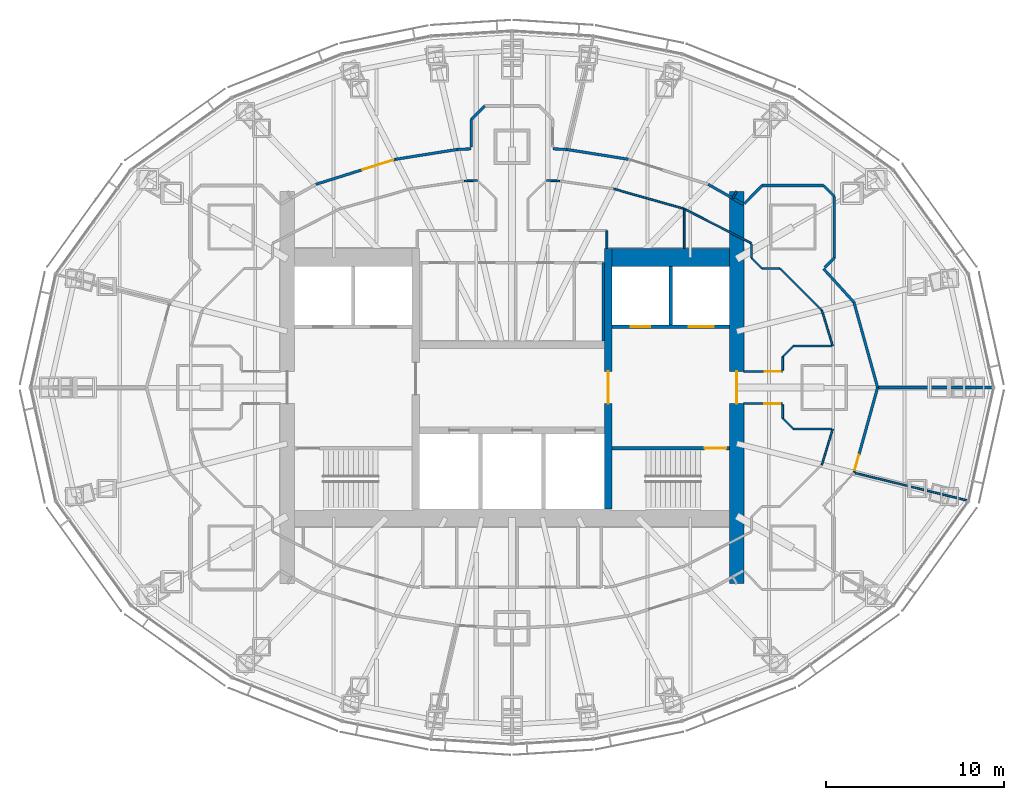
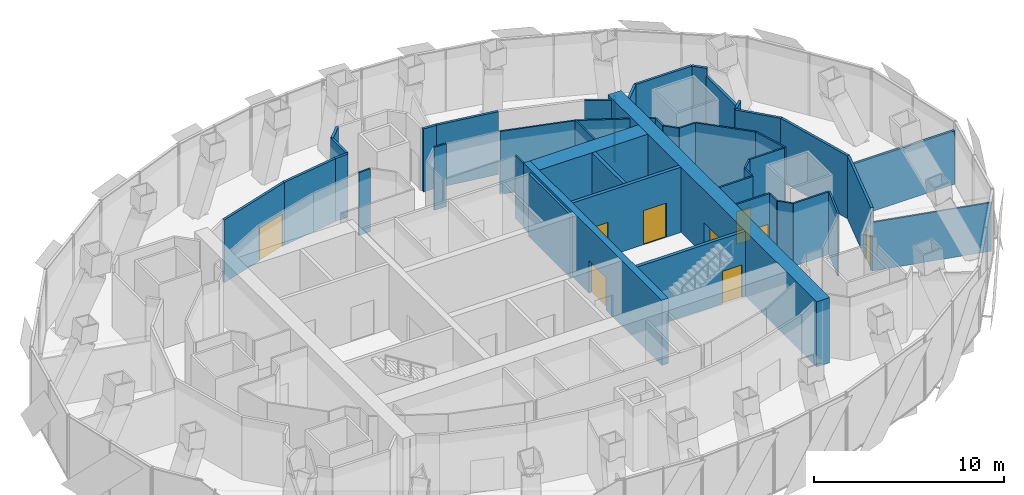
# One storey, part 14 of 18: 46 walls, 9 doors, 9 openings.
"""IFC4 building model written with IfcOpenShell, lengths in metres."""

from ifc_helpers import new_model, si_unit, direction, frame, frame_2d, origin, place, context, subcontext, project, spatial, rectangle, extrude, material, layer, layer_set, type_object, element, fill, save


model = new_model("IFC4")

# Units and contexts
model_context = context("Model", 3, precision=1e-05, world=origin(), true_north=direction((0.0, 1.0)))
body_context = subcontext(model_context, "Body", "Model", "MODEL_VIEW")
ifc_project = project(units=[si_unit("LENGTHUNIT", "METRE"), si_unit("AREAUNIT", "SQUARE_METRE"), si_unit("VOLUMEUNIT", "CUBIC_METRE"), si_unit("PLANEANGLEUNIT", "RADIAN"), si_unit("MASSUNIT", "GRAM", prefix="KILO")], contexts=[model_context])

# Site, building, storey
site_placement = place(None, origin())
site = spatial("IfcSite", under=ifc_project, at=site_placement, CompositionType="ELEMENT")
building_placement = place(site_placement, origin())
building = spatial("IfcBuilding", under=site, at=building_placement, Name="Lantaw Convention Tower", CompositionType="ELEMENT")
storey_placement = place(building_placement, frame((0.0, 0.0, 266.199951171875)))
storey = spatial("IfcBuildingStorey", under=building, at=storey_placement, Name="L62", CompositionType="ELEMENT", Elevation=266.199951171875)

# Wall
ifc_material_1 = material(Name="Concrete C60/75", Category="concrete")
ifc_layer_1 = layer(ifc_material_1, 1.0)
ifc_layer_set_1 = layer_set([ifc_layer_1], Name="Core wall 1000")
wall_type_1 = type_object("IfcWallType", Name="Core wall 1000", PredefinedType="SHEAR", material=ifc_layer_set_1)
wall_1_placement = place(storey_placement, frame((12.199951171875, 7.300048828125, 0.0), z_axis=(0.0, 0.0, 1.0), x_axis=(-1.0, 0.0, 0.0)))
element("IfcWall", 1, at=wall_1_placement, inside=storey, type_object=wall_type_1, Name="Core wall NE", PredefinedType="SHEAR", context=body_context, shape_type="SweptSolid", body=[
    extrude(rectangle(XDim=6.599853515625, YDim=1.0, at=frame_2d((3.2998046875, 0.0))), origin(), (0.0, 0.0, 1.0), 4.199951171875),
])

# Wall, opening, door
ifc_layer_2 = layer(ifc_material_1, 0.199951171875)
ifc_layer_set_2 = layer_set([ifc_layer_2], Name="Core wall 200")
wall_type_2 = type_object("IfcWallType", Name="Core wall 200", PredefinedType="SHEAR", material=ifc_layer_set_2)
wall_2_placement = place(storey_placement, frame((5.60009765625, -3.39990234375, 0.0), z_axis=(0.0, 0.0, 1.0), x_axis=(1.0, 0.0, 0.0)))
wall_2 = element("IfcWall", 2, at=wall_2_placement, inside=storey, type_object=wall_type_2, Name="Core wall ES", PredefinedType="SHEAR", context=body_context, shape_type="SweptSolid", body=[
    extrude(rectangle(XDim=6.599853515625, YDim=0.199951171875, at=frame_2d((3.2998046875, 0.0))), origin(), (0.0, 0.0, 1.0), 4.199951171875),
])
opening_1_placement = place(wall_2_placement, frame((5.199951171875, 0.0, 0.0)))
opening_1 = element("IfcOpeningElement", 3, at=opening_1_placement, cuts=wall_2, Name="Opening L62.03", PredefinedType="OPENING", context=body_context, shape_type="SweptSolid", body=[
    extrude(rectangle(XDim=1.199951171875, YDim=2.10009765625, at=frame_2d((0.60009765625, 1.050048828125))), frame((0.0, 0.10986328125, 0.0), z_axis=(0.0, -1.0, 0.0), x_axis=(1.0, 0.0, 0.0)), (0.0, 0.0, 1.0), 0.219970703125),
])
ifc_material_2 = material(Name="Steel, fire rated", Category="steel")
door_type_1 = type_object("IfcDoorType", Name="Stair door FD90", OperationType="SINGLE_SWING_RIGHT", PredefinedType="DOOR", material=ifc_material_2)
door_1_placement = place(opening_1_placement, origin())
door_1 = element("IfcDoor", 4, at=door_1_placement, inside=storey, type_object=door_type_1, Name="Exit stair door", OperationType="SINGLE_SWING_RIGHT", OverallHeight=2.10009765625, OverallWidth=1.199951171875, PredefinedType="DOOR", context=body_context, shape_type="SweptSolid", body=[
    extrude(rectangle(XDim=1.199951171875, YDim=2.10009765625, at=frame_2d((0.60009765625, 1.050048828125))), frame((0.0, 0.02490234375, 0.0), z_axis=(0.0, -1.0, 0.0), x_axis=(1.0, 0.0, 0.0)), (0.0, 0.0, 1.0), 0.050048828125),
])
fill(opening_1, door_1)

ifc_layer_3 = layer(ifc_material_1, 0.39990234375)
ifc_layer_set_3 = layer_set([ifc_layer_3], Name="Core wall 400")
wall_type_3 = type_object("IfcWallType", Name="Core wall 400", PredefinedType="SHEAR", material=ifc_layer_set_3)
wall_3_placement = place(storey_placement, frame((5.39990234375, -6.800048828125, 0.0), z_axis=(0.0, 0.0, 1.0), x_axis=(0.0, 1.0, 0.0)))
wall_3 = element("IfcWall", 5, at=wall_3_placement, inside=storey, type_object=wall_type_3, Name="Core wall XE", PredefinedType="SHEAR", context=body_context, shape_type="SweptSolid", body=[
    extrude(rectangle(XDim=14.60009765625, YDim=0.39990234375, at=frame_2d((7.300048828125, 0.0))), origin(), (0.0, 0.0, 1.0), 4.199951171875),
])
opening_2_placement = place(wall_3_placement, frame((5.89990234375, 0.0, 0.0)))
opening_2 = element("IfcOpeningElement", 6, at=opening_2_placement, cuts=wall_3, Name="Opening L62.01", PredefinedType="OPENING", context=body_context, shape_type="SweptSolid", body=[
    extrude(rectangle(XDim=1.800048828125, YDim=2.10009765625, at=frame_2d((0.89990234375, 1.050048828125))), frame((0.0, 0.2099609375, 0.0), z_axis=(0.0, -1.0, 0.0), x_axis=(1.0, 0.0, 0.0)), (0.0, 0.0, 1.0), 0.419921875),
])
door_type_2 = type_object("IfcDoorType", Name="Lobby double door FD90", OperationType="DOUBLE_DOOR_DOUBLE_SWING", PredefinedType="DOOR", material=ifc_material_2)
door_2_placement = place(opening_2_placement, origin())
door_2 = element("IfcDoor", 7, at=door_2_placement, inside=storey, type_object=door_type_2, Name="Lift lobby door", OperationType="DOUBLE_DOOR_DOUBLE_SWING", OverallHeight=2.10009765625, OverallWidth=1.800048828125, PredefinedType="DOOR", context=body_context, shape_type="SweptSolid", body=[
    extrude(rectangle(XDim=1.800048828125, YDim=2.10009765625, at=frame_2d((0.89990234375, 1.050048828125))), frame((0.0, 0.02490234375, 0.0), z_axis=(0.0, -1.0, 0.0), x_axis=(1.0, 0.0, 0.0)), (0.0, 0.0, 1.0), 0.050048828125),
])
fill(opening_2, door_2)

ifc_layer_4 = layer(ifc_material_1, 0.800048828125)
ifc_layer_set_4 = layer_set([ifc_layer_4], Name="Core wall 800")
wall_type_4 = type_object("IfcWallType", Name="Core wall 800", PredefinedType="SHEAR", material=ifc_layer_set_4)
wall_4_placement = place(storey_placement, frame((12.60009765625, -11.0, 0.0), z_axis=(0.0, 0.0, 1.0), x_axis=(0.0, 1.0, 0.0)))
wall_4 = element("IfcWall", 8, at=wall_4_placement, inside=storey, type_object=wall_type_4, Name="Core wall E", PredefinedType="SHEAR", context=body_context, shape_type="SweptSolid", body=[
    extrude(rectangle(XDim=22.0, YDim=0.800048828125, at=frame_2d((11.0, 0.0))), origin(), (0.0, 0.0, 1.0), 4.199951171875),
])
opening_3_placement = place(wall_4_placement, frame((10.10009765625, 0.0, 0.0)))
opening_3 = element("IfcOpeningElement", 9, at=opening_3_placement, cuts=wall_4, Name="Opening L62.05", PredefinedType="OPENING", context=body_context, shape_type="SweptSolid", body=[
    extrude(rectangle(XDim=1.800048828125, YDim=2.10009765625, at=frame_2d((0.89990234375, 1.050048828125))), frame((0.0, 0.409912109375, 0.0), z_axis=(0.0, -1.0, 0.0), x_axis=(1.0, 0.0, 0.0)), (0.0, 0.0, 1.0), 0.820068359375),
])
door_3_placement = place(opening_3_placement, origin())
door_3 = element("IfcDoor", 10, at=door_3_placement, inside=storey, type_object=door_type_2, Name="Firefighting lobby door", OperationType="DOUBLE_DOOR_DOUBLE_SWING", OverallHeight=2.10009765625, OverallWidth=1.800048828125, PredefinedType="DOOR", context=body_context, shape_type="SweptSolid", body=[
    extrude(rectangle(XDim=1.800048828125, YDim=2.10009765625, at=frame_2d((0.89990234375, 1.050048828125))), frame((0.0, 0.02490234375, 0.0), z_axis=(0.0, -1.0, 0.0), x_axis=(1.0, 0.0, 0.0)), (0.0, 0.0, 1.0), 0.050048828125),
])
fill(opening_3, door_3)

# Walls
ifc_material_3 = material(Name="Gypsum board on steel studs, fire rated", Category="steel")
ifc_layer_5 = layer(ifc_material_3, 0.14990234375)
ifc_layer_set_5 = layer_set([ifc_layer_5], Name="Corridor wall 150 EI 60")
wall_type_5 = type_object("IfcWallType", Name="Corridor wall 150 EI 60", PredefinedType="PARTITIONING", material=ifc_layer_set_5)
wall_5_placement = place(storey_placement, frame((20.5, 0.0, 0.0), z_axis=(0.0, 0.0, 1.0), x_axis=(-0.26770731566, 0.963500281859, 0.0)))
element("IfcWall", 11, at=wall_5_placement, inside=storey, type_object=wall_type_5, Name="Corridor wall 150", PredefinedType="PARTITIONING", context=body_context, shape_type="SweptSolid", body=[
    extrude(rectangle(XDim=4.961181640625, YDim=0.14990234375, at=frame_2d((2.48046875, 0.0))), origin(), (0.0, 0.0, 1.0), 4.050048828125),
])
for number, where, z_axis, x_axis, name in (
    (12, (6.521240234375, 12.798828125, 0.0), (0.0, 0.0, 1.0), (-0.987554093087, 0.157279729233, 0.0), "Corridor wall 150"),
    (13, (-3.081298828125, 13.3466796875, 0.0), (0.0, 0.0, 1.0), (-0.987554093087, -0.157279729233, 0.0), "Corridor wall 150"),
):
    element("IfcWall", number, at=place(storey_placement, frame(where, z_axis=z_axis, x_axis=x_axis)), inside=storey, type_object=wall_type_5, Name=name, PredefinedType="PARTITIONING", context=body_context, shape_type="SweptSolid", body=[
        extrude(rectangle(XDim=3.4833984375, YDim=0.14990234375, at=frame_2d((1.74169921875, 0.0))), origin(), (0.0, 0.0, 1.0), 4.050048828125),
    ])

# Wall, opening, door
wall_6_placement = place(storey_placement, frame((-6.521240234375, 12.798828125, 0.0), z_axis=(0.0, 0.0, 1.0), x_axis=(-0.954031103669, -0.299707612903, 0.0)))
wall_6 = element("IfcWall", 14, at=wall_6_placement, inside=storey, type_object=wall_type_5, Name="Corridor wall 150", PredefinedType="PARTITIONING", context=body_context, shape_type="SweptSolid", body=[
    extrude(rectangle(XDim=4.6953125, YDim=0.14990234375, at=frame_2d((2.34765625, 0.0))), origin(), (0.0, 0.0, 1.0), 4.050048828125),
])
opening_4_placement = place(wall_6_placement, frame((0.14990234375, 0.0, 0.0)))
opening_4 = element("IfcOpeningElement", 15, at=opening_4_placement, cuts=wall_6, Name="Opening L62.30", PredefinedType="OPENING", context=body_context, shape_type="SweptSolid", body=[
    extrude(rectangle(XDim=1.800048828125, YDim=2.10009765625, at=frame_2d((0.89990234375, 1.050048828125))), frame((0.0, 0.0849609375, 0.0), z_axis=(0.0, -1.0, 0.0), x_axis=(1.0, 0.0, 0.0)), (0.0, 0.0, 1.0), 0.169921875),
])
door_type_3 = type_object("IfcDoorType", Name="Office double door 1800 FD30", OperationType="DOUBLE_DOOR_DOUBLE_SWING", PredefinedType="DOOR", material=ifc_material_2)
door_4_placement = place(opening_4_placement, origin())
door_4 = element("IfcDoor", 16, at=door_4_placement, inside=storey, type_object=door_type_3, Name="Tenant suite door", OperationType="DOUBLE_DOOR_DOUBLE_SWING", OverallHeight=2.10009765625, OverallWidth=1.800048828125, PredefinedType="DOOR", context=body_context, shape_type="SweptSolid", body=[
    extrude(rectangle(XDim=1.800048828125, YDim=2.10009765625, at=frame_2d((0.89990234375, 1.050048828125))), frame((0.0, 0.02490234375, 0.0), z_axis=(0.0, -1.0, 0.0), x_axis=(1.0, 0.0, 0.0)), (0.0, 0.0, 1.0), 0.050048828125),
])
fill(opening_4, door_4)

wall_7_placement = place(storey_placement, frame((19.171875, -4.780029296875, 0.0), z_axis=(0.0, 0.0, 1.0), x_axis=(0.26770731566, 0.963500281859, 0.0)))
wall_7 = element("IfcWall", 17, at=wall_7_placement, inside=storey, type_object=wall_type_5, Name="Corridor wall 150", PredefinedType="PARTITIONING", context=body_context, shape_type="SweptSolid", body=[
    extrude(rectangle(XDim=4.961181640625, YDim=0.14990234375, at=frame_2d((2.48046875, 0.0))), origin(), (0.0, 0.0, 1.0), 4.050048828125),
])
opening_5_placement = place(wall_7_placement, frame((0.14990234375, 0.0, 0.0)))
opening_5 = element("IfcOpeningElement", 18, at=opening_5_placement, cuts=wall_7, Name="Opening L62.36", PredefinedType="OPENING", context=body_context, shape_type="SweptSolid", body=[
    extrude(rectangle(XDim=0.89990234375, YDim=2.10009765625, at=frame_2d((0.449951171875, 1.050048828125))), frame((0.0, 0.0849609375, 0.0), z_axis=(0.0, -1.0, 0.0), x_axis=(1.0, 0.0, 0.0)), (0.0, 0.0, 1.0), 0.169921875),
])
door_type_4 = type_object("IfcDoorType", Name="Office door 900 FD30", OperationType="SINGLE_SWING_LEFT", PredefinedType="DOOR", material=ifc_material_2)
door_5_placement = place(opening_5_placement, origin())
door_5 = element("IfcDoor", 19, at=door_5_placement, inside=storey, type_object=door_type_4, Name="Pantry door", OperationType="SINGLE_SWING_LEFT", OverallHeight=2.10009765625, OverallWidth=0.89990234375, PredefinedType="DOOR", context=body_context, shape_type="SweptSolid", body=[
    extrude(rectangle(XDim=0.89990234375, YDim=2.10009765625, at=frame_2d((0.449951171875, 1.050048828125))), frame((0.0, 0.02490234375, 0.0), z_axis=(0.0, -1.0, 0.0), x_axis=(1.0, 0.0, 0.0)), (0.0, 0.0, 1.0), 0.050048828125),
])
fill(opening_5, door_5)

# Walls
for number, where, z_axis, x_axis, name in (
    (20, (3.081298828125, 13.3466796875, 0.0), (0.0, 0.0, 1.0), (-0.998768524691, 0.049612841959, 0.0), "Corridor wall 150"),
    (21, (-2.294921875, 13.3857421875, 0.0), (0.0, 0.0, 1.0), (-0.998768524691, -0.049612841959, 0.0), "Corridor wall 150"),
):
    element("IfcWall", number, at=place(storey_placement, frame(where, z_axis=z_axis, x_axis=x_axis)), inside=storey, type_object=wall_type_5, Name=name, PredefinedType="PARTITIONING", context=body_context, shape_type="SweptSolid", body=[
        extrude(rectangle(XDim=0.787353515625, YDim=0.14990234375, at=frame_2d((0.3935546875, 0.0))), origin(), (0.0, 0.0, 1.0), 4.050048828125),
    ])
wall_8_placement = place(storey_placement, frame((-2.284912109375, 13.4873046875, 0.0), z_axis=(0.0, 0.0, 1.0), x_axis=(0.0, 1.0, 0.0)))
element("IfcWall", 22, at=wall_8_placement, inside=storey, type_object=wall_type_5, Name="Corridor wall 150", PredefinedType="PARTITIONING", context=body_context, shape_type="SweptSolid", body=[
    extrude(rectangle(XDim=1.544921875, YDim=0.14990234375, at=frame_2d((0.7724609375, 0.0))), origin(), (0.0, 0.0, 1.0), 4.050048828125),
])
wall_9_placement = place(storey_placement, frame((-2.284912109375, 15.0322265625, 0.0), z_axis=(0.0, 0.0, 1.0), x_axis=(0.707106781187, 0.707106781187, 0.0)))
element("IfcWall", 23, at=wall_9_placement, inside=storey, type_object=wall_type_5, Name="Corridor wall 150", PredefinedType="PARTITIONING", context=body_context, shape_type="SweptSolid", body=[
    extrude(rectangle(XDim=1.064453125, YDim=0.14990234375, at=frame_2d((0.5322265625, 0.0))), origin(), (0.0, 0.0, 1.0), 4.050048828125),
])
wall_10_placement = place(storey_placement, frame((19.171875, 4.780029296875, 0.0), z_axis=(0.0, 0.0, 1.0), x_axis=(-0.671721890643, 0.74080341632, 0.0)))
element("IfcWall", 24, at=wall_10_placement, inside=storey, type_object=wall_type_5, Name="Corridor wall 150", PredefinedType="PARTITIONING", context=body_context, shape_type="SweptSolid", body=[
    extrude(rectangle(XDim=2.54443359375, YDim=0.14990234375, at=frame_2d((1.272216796875, 0.0))), origin(), (0.0, 0.0, 1.0), 4.050048828125),
])
wall_11_placement = place(storey_placement, frame((12.974609375, 10.271484375, 0.0), z_axis=(0.0, 0.0, 1.0), x_axis=(-0.869722107117, 0.493541747366, 0.0)))
element("IfcWall", 25, at=wall_11_placement, inside=storey, type_object=wall_type_5, Name="Corridor wall 150", PredefinedType="PARTITIONING", context=body_context, shape_type="SweptSolid", body=[
    extrude(rectangle(XDim=2.26953125, YDim=0.14990234375, at=frame_2d((1.134765625, 0.0))), origin(), (0.0, 0.0, 1.0), 4.050048828125),
])
wall_12_placement = place(storey_placement, frame((13.035888671875, 10.318603515625, 0.0), z_axis=(0.0, 0.0, 1.0), x_axis=(0.701113567316, 0.713049623606, 0.0)))
element("IfcWall", 26, at=wall_12_placement, inside=storey, type_object=wall_type_5, Name="Corridor wall 150", PredefinedType="PARTITIONING", context=body_context, shape_type="SweptSolid", body=[
    extrude(rectangle(XDim=1.411376953125, YDim=0.14990234375, at=frame_2d((0.70556640625, 0.0))), origin(), (0.0, 0.0, 1.0), 4.050048828125),
])
wall_13_placement = place(storey_placement, frame((14.025390625, 11.324951171875, 0.0), z_axis=(0.0, 0.0, 1.0), x_axis=(1.0, 0.0, 0.0)))
element("IfcWall", 27, at=wall_13_placement, inside=storey, type_object=wall_type_5, Name="Corridor wall 150", PredefinedType="PARTITIONING", context=body_context, shape_type="SweptSolid", body=[
    extrude(rectangle(XDim=3.44921875, YDim=0.14990234375, at=frame_2d((1.724609375, 0.0))), origin(), (0.0, 0.0, 1.0), 4.050048828125),
])
wall_14_placement = place(storey_placement, frame((17.474609375, 11.324951171875, 0.0), z_axis=(0.0, 0.0, 1.0), x_axis=(0.707106781187, -0.707106781187, 0.0)))
element("IfcWall", 28, at=wall_14_placement, inside=storey, type_object=wall_type_5, Name="Corridor wall 150", PredefinedType="PARTITIONING", context=body_context, shape_type="SweptSolid", body=[
    extrude(rectangle(XDim=0.84912109375, YDim=0.14990234375, at=frame_2d((0.424560546875, 0.0))), origin(), (0.0, 0.0, 1.0), 4.050048828125),
])
wall_15_placement = place(storey_placement, frame((18.074951171875, 10.724609375, 0.0), z_axis=(0.0, 0.0, 1.0), x_axis=(0.0, -1.0, 0.0)))
element("IfcWall", 29, at=wall_15_placement, inside=storey, type_object=wall_type_5, Name="Corridor wall 150", PredefinedType="PARTITIONING", context=body_context, shape_type="SweptSolid", body=[
    extrude(rectangle(XDim=3.44921875, YDim=0.14990234375, at=frame_2d((1.724609375, 0.0))), origin(), (0.0, 0.0, 1.0), 3.521728515625),
])
wall_16_placement = place(storey_placement, frame((18.074951171875, 7.275390625, 0.0), z_axis=(0.0, 0.0, 1.0), x_axis=(-0.707106781187, -0.707106781187, 0.0)))
element("IfcWall", 30, at=wall_16_placement, inside=storey, type_object=wall_type_5, Name="Corridor wall 150", PredefinedType="PARTITIONING", context=body_context, shape_type="SweptSolid", body=[
    extrude(rectangle(XDim=0.759521484375, YDim=0.14990234375, at=frame_2d((0.3798828125, 0.0))), origin(), (0.0, 0.0, 1.0), 4.050048828125),
])
ifc_material_4 = material(Name="Gypsum board on steel studs, acoustic", Category="steel")
ifc_layer_6 = layer(ifc_material_4, 0.10009765625)
ifc_layer_set_6 = layer_set([ifc_layer_6], Name="Office partition 100")
wall_type_6 = type_object("IfcWallType", Name="Office partition 100", PredefinedType="PARTITIONING", material=ifc_layer_set_6)
wall_17_placement = place(storey_placement, frame((25.54296875, -6.33544921875, 0.0), z_axis=(0.0, 0.0, 1.0), x_axis=(-0.971467850621, 0.237171278215, 0.0)))
element("IfcWall", 31, at=wall_17_placement, inside=storey, type_object=wall_type_6, Name="Office partition 100", PredefinedType="PARTITIONING", context=body_context, shape_type="SweptSolid", body=[
    extrude(rectangle(XDim=6.55810546875, YDim=0.10009765625, at=frame_2d((3.279052734375, 0.0))), origin(), (0.0, 0.0, 1.0), 3.1279296875),
])
wall_18_placement = place(storey_placement, frame((5.320068359375, 7.800048828125, 0.0), z_axis=(0.0, 0.0, 1.0), x_axis=(0.0, 1.0, 0.0)))
element("IfcWall", 32, at=wall_18_placement, inside=storey, type_object=wall_type_6, Name="Office partition 100", PredefinedType="PARTITIONING", context=body_context, shape_type="SweptSolid", body=[
    extrude(rectangle(XDim=1.0, YDim=0.10009765625, at=frame_2d((0.5, 0.0))), origin(), (0.0, 0.0, 1.0), 4.050048828125),
])
wall_19_placement = place(storey_placement, frame((5.679931640625, 11.147216796875, 0.0), z_axis=(0.0, 0.0, 1.0), x_axis=(0.961970251804, -0.27315423234, 0.0)))
element("IfcWall", 33, at=wall_19_placement, inside=storey, type_object=wall_type_6, Name="Office partition 100", PredefinedType="PARTITIONING", context=body_context, shape_type="SweptSolid", body=[
    extrude(rectangle(XDim=4.13720703125, YDim=0.10009765625, at=frame_2d((2.068603515625, 0.0))), origin(), (0.0, 0.0, 1.0), 4.050048828125),
])
wall_20_placement = place(storey_placement, frame((9.659912109375, 10.01708984375, 0.0), z_axis=(0.0, 0.0, 1.0), x_axis=(0.0, -1.0, 0.0)))
element("IfcWall", 34, at=wall_20_placement, inside=storey, type_object=wall_type_6, Name="Office partition 100", PredefinedType="PARTITIONING", context=body_context, shape_type="SweptSolid", body=[
    extrude(rectangle(XDim=2.217041015625, YDim=0.10009765625, at=frame_2d((1.1083984375, 0.0))), origin(), (0.0, 0.0, 1.0), 4.050048828125),
])
wall_21_placement = place(storey_placement, frame((12.60009765625, 11.0, 0.0), z_axis=(0.0, 0.0, 1.0), x_axis=(-0.493794495037, -0.869578631678, 0.0)))
element("IfcWall", 35, at=wall_21_placement, inside=storey, type_object=wall_type_6, Name="Office partition 100", PredefinedType="PARTITIONING", context=body_context, shape_type="SweptSolid", body=[
    extrude(rectangle(XDim=0.448974609375, YDim=0.10009765625, at=frame_2d((0.224609375, 0.0))), origin(), (0.0, 0.0, 1.0), 4.050048828125),
])
for number, where, z_axis, x_axis, name in (
    (36, (1.944091796875, 11.612548828125, 0.0), (0.0, 0.0, 1.0), (0.99899525873, -0.04481599085, 0.0), "Office partition 100"),
    (37, (-2.67333984375, 11.579833984375, 0.0), (0.0, 0.0, 1.0), (0.99899525873, 0.04481599085, 0.0), "Office partition 100"),
):
    element("IfcWall", number, at=place(storey_placement, frame(where, z_axis=z_axis, x_axis=x_axis)), inside=storey, type_object=wall_type_6, Name=name, PredefinedType="PARTITIONING", context=body_context, shape_type="SweptSolid", body=[
        extrude(rectangle(XDim=0.72998046875, YDim=0.10009765625, at=frame_2d((0.364990234375, 0.0))), origin(), (0.0, 0.0, 1.0), 4.050048828125),
    ])
wall_22_placement = place(storey_placement, frame((9.659912109375, 10.01708984375, 0.0), z_axis=(0.0, 0.0, 1.0), x_axis=(0.889833724874, -0.456284935185, 0.0)))
element("IfcWall", 38, at=wall_22_placement, inside=storey, type_object=wall_type_6, Name="Office partition 100", PredefinedType="PARTITIONING", context=body_context, shape_type="SweptSolid", body=[
    extrude(rectangle(XDim=4.219970703125, YDim=0.10009765625, at=frame_2d((2.10986328125, 0.0))), origin(), (0.0, 0.0, 1.0), 4.050048828125),
])
wall_23_placement = place(storey_placement, frame((15.03466796875, 6.6650390625, 0.0), z_axis=(0.0, 0.0, 1.0), x_axis=(0.707587114823, -0.70662612104, 0.0)))
element("IfcWall", 39, at=wall_23_placement, inside=storey, type_object=wall_type_6, Name="Office partition 100", PredefinedType="PARTITIONING", context=body_context, shape_type="SweptSolid", body=[
    extrude(rectangle(XDim=3.302734375, YDim=0.10009765625, at=frame_2d((1.6513671875, 0.0))), origin(), (0.0, 0.0, 1.0), 4.050048828125),
])
wall_24_placement = place(storey_placement, frame((15.002197265625, 6.675048828125, 0.0), z_axis=(0.0, 0.0, 1.0), x_axis=(-1.0, 0.0, 0.0)))
element("IfcWall", 40, at=wall_24_placement, inside=storey, type_object=wall_type_6, Name="Office partition 100", PredefinedType="PARTITIONING", context=body_context, shape_type="SweptSolid", body=[
    extrude(rectangle(XDim=0.976806640625, YDim=0.10009765625, at=frame_2d((0.48828125, 0.0))), origin(), (0.0, 0.0, 1.0), 4.050048828125),
])
wall_25_placement = place(storey_placement, frame((14.025390625, 6.675048828125, 0.0), z_axis=(0.0, 0.0, 1.0), x_axis=(-0.707106781187, 0.707106781187, 0.0)))
element("IfcWall", 41, at=wall_25_placement, inside=storey, type_object=wall_type_6, Name="Office partition 100", PredefinedType="PARTITIONING", context=body_context, shape_type="SweptSolid", body=[
    extrude(rectangle(XDim=0.84912109375, YDim=0.10009765625, at=frame_2d((0.424560546875, 0.0))), origin(), (0.0, 0.0, 1.0), 4.050048828125),
])
wall_26_placement = place(storey_placement, frame((13.425048828125, 7.275390625, 0.0), z_axis=(0.0, 0.0, 1.0), x_axis=(0.0, 1.0, 0.0)))
element("IfcWall", 42, at=wall_26_placement, inside=storey, type_object=wall_type_6, Name="Office partition 100", PredefinedType="PARTITIONING", context=body_context, shape_type="SweptSolid", body=[
    extrude(rectangle(XDim=0.77001953125, YDim=0.10009765625, at=frame_2d((0.385009765625, 0.0))), origin(), (0.0, 0.0, 1.0), 4.050048828125),
])

# Wall, opening, door
wall_27_placement = place(storey_placement, frame((13.0, -0.89990234375, 0.0), z_axis=(0.0, 0.0, 1.0), x_axis=(1.0, 0.0, 0.0)))
wall_27 = element("IfcWall", 43, at=wall_27_placement, inside=storey, type_object=wall_type_6, Name="Office partition 100", PredefinedType="PARTITIONING", context=body_context, shape_type="SweptSolid", body=[
    extrude(rectangle(XDim=2.1650390625, YDim=0.10009765625, at=frame_2d((1.08251953125, 0.0))), origin(), (0.0, 0.0, 1.0), 4.050048828125),
])
opening_6_placement = place(wall_27_placement, frame((1.14990234375, 0.0, 0.0)))
opening_6 = element("IfcOpeningElement", 44, at=opening_6_placement, cuts=wall_27, Name="Opening L62.24", PredefinedType="OPENING", context=body_context, shape_type="SweptSolid", body=[
    extrude(rectangle(XDim=0.89990234375, YDim=2.10009765625, at=frame_2d((0.449951171875, 1.050048828125))), frame((0.0, 0.06005859375, 0.0), z_axis=(0.0, -1.0, 0.0), x_axis=(1.0, 0.0, 0.0)), (0.0, 0.0, 1.0), 0.1201171875),
])
ifc_material_5 = material(Name="Timber", Category="wood")
door_type_5 = type_object("IfcDoorType", Name="Office door 900", OperationType="SINGLE_SWING_LEFT", PredefinedType="DOOR", material=ifc_material_5)
door_6_placement = place(opening_6_placement, origin())
door_6 = element("IfcDoor", 45, at=door_6_placement, inside=storey, type_object=door_type_5, Name="Tenant storage room door", OperationType="SINGLE_SWING_LEFT", OverallHeight=2.10009765625, OverallWidth=0.89990234375, PredefinedType="DOOR", context=body_context, shape_type="SweptSolid", body=[
    extrude(rectangle(XDim=0.89990234375, YDim=2.10009765625, at=frame_2d((0.449951171875, 1.050048828125))), frame((0.0, 0.02490234375, 0.0), z_axis=(0.0, -1.0, 0.0), x_axis=(1.0, 0.0, 0.0)), (0.0, 0.0, 1.0), 0.050048828125),
])
fill(opening_6, door_6)

# Walls
for number, where, z_axis, x_axis, name in (
    (46, (17.98388671875, -2.3349609375, 0.0), (0.0, 0.0, 1.0), (-0.293231279211, -0.956041535129, 0.0), "Office partition 100"),
    (47, (17.37158203125, 4.331298828125, 0.0), (0.0, 0.0, 1.0), (0.293231279211, -0.956041535129, 0.0), "Office partition 100"),
):
    element("IfcWall", number, at=place(storey_placement, frame(where, z_axis=z_axis, x_axis=x_axis)), inside=storey, type_object=wall_type_6, Name=name, PredefinedType="PARTITIONING", context=body_context, shape_type="SweptSolid", body=[
        extrude(rectangle(XDim=2.088134765625, YDim=0.10009765625, at=frame_2d((1.0439453125, 0.0))), origin(), (0.0, 0.0, 1.0), 4.050048828125),
    ])

# Wall, opening, door
wall_28_placement = place(storey_placement, frame((15.1650390625, 0.89990234375, 0.0), z_axis=(0.0, 0.0, 1.0), x_axis=(-1.0, 0.0, 0.0)))
wall_28 = element("IfcWall", 48, at=wall_28_placement, inside=storey, type_object=wall_type_6, Name="Office partition 100", PredefinedType="PARTITIONING", context=body_context, shape_type="SweptSolid", body=[
    extrude(rectangle(XDim=2.1650390625, YDim=0.10009765625, at=frame_2d((1.08251953125, 0.0))), origin(), (0.0, 0.0, 1.0), 4.050048828125),
])
opening_7_placement = place(wall_28_placement, frame((0.10009765625, 0.0, 0.0)))
opening_7 = element("IfcOpeningElement", 49, at=opening_7_placement, cuts=wall_28, Name="Opening L62.26", PredefinedType="OPENING", context=body_context, shape_type="SweptSolid", body=[
    extrude(rectangle(XDim=0.89990234375, YDim=2.10009765625, at=frame_2d((0.449951171875, 1.050048828125))), frame((0.0, 0.06005859375, 0.0), z_axis=(0.0, -1.0, 0.0), x_axis=(1.0, 0.0, 0.0)), (0.0, 0.0, 1.0), 0.1201171875),
])
door_7_placement = place(opening_7_placement, origin())
door_7 = element("IfcDoor", 50, at=door_7_placement, inside=storey, type_object=door_type_5, Name="Copy and print room door", OperationType="SINGLE_SWING_LEFT", OverallHeight=2.10009765625, OverallWidth=0.89990234375, PredefinedType="DOOR", context=body_context, shape_type="SweptSolid", body=[
    extrude(rectangle(XDim=0.89990234375, YDim=2.10009765625, at=frame_2d((0.449951171875, 1.050048828125))), frame((0.0, 0.02490234375, 0.0), z_axis=(0.0, -1.0, 0.0), x_axis=(1.0, 0.0, 0.0)), (0.0, 0.0, 1.0), 0.050048828125),
])
fill(opening_7, door_7)

# Walls
wall_29_placement = place(storey_placement, frame((15.175048828125, -1.724609375, 0.0), z_axis=(0.0, 0.0, 1.0), x_axis=(0.0, 1.0, 0.0)))
element("IfcWall", 51, at=wall_29_placement, inside=storey, type_object=wall_type_6, Name="Office partition 100", PredefinedType="PARTITIONING", context=body_context, shape_type="SweptSolid", body=[
    extrude(rectangle(XDim=0.746337890625, YDim=0.10009765625, at=frame_2d((0.373046875, 0.0))), origin(), (0.0, 0.0, 1.0), 4.050048828125),
])
wall_30_placement = place(storey_placement, frame((17.903076171875, -2.324951171875, 0.0), z_axis=(0.0, 0.0, 1.0), x_axis=(-1.0, 0.0, 0.0)))
element("IfcWall", 52, at=wall_30_placement, inside=storey, type_object=wall_type_6, Name="Office partition 100", PredefinedType="PARTITIONING", context=body_context, shape_type="SweptSolid", body=[
    extrude(rectangle(XDim=2.127685546875, YDim=0.10009765625, at=frame_2d((1.06396484375, 0.0))), origin(), (0.0, 0.0, 1.0), 4.050048828125),
])
wall_31_placement = place(storey_placement, frame((15.775390625, -2.324951171875, 0.0), z_axis=(0.0, 0.0, 1.0), x_axis=(-0.707106781187, 0.707106781187, 0.0)))
element("IfcWall", 53, at=wall_31_placement, inside=storey, type_object=wall_type_6, Name="Office partition 100", PredefinedType="PARTITIONING", context=body_context, shape_type="SweptSolid", body=[
    extrude(rectangle(XDim=0.84912109375, YDim=0.10009765625, at=frame_2d((0.424560546875, 0.0))), origin(), (0.0, 0.0, 1.0), 4.050048828125),
])
wall_32_placement = place(storey_placement, frame((15.175048828125, 0.978271484375, 0.0), z_axis=(0.0, 0.0, 1.0), x_axis=(0.0, 1.0, 0.0)))
element("IfcWall", 54, at=wall_32_placement, inside=storey, type_object=wall_type_6, Name="Office partition 100", PredefinedType="PARTITIONING", context=body_context, shape_type="SweptSolid", body=[
    extrude(rectangle(XDim=0.746337890625, YDim=0.10009765625, at=frame_2d((0.373046875, 0.0))), origin(), (0.0, 0.0, 1.0), 4.050048828125),
])
wall_33_placement = place(storey_placement, frame((15.175048828125, 1.724609375, 0.0), z_axis=(0.0, 0.0, 1.0), x_axis=(0.707106781187, 0.707106781187, 0.0)))
element("IfcWall", 55, at=wall_33_placement, inside=storey, type_object=wall_type_6, Name="Office partition 100", PredefinedType="PARTITIONING", context=body_context, shape_type="SweptSolid", body=[
    extrude(rectangle(XDim=0.84912109375, YDim=0.10009765625, at=frame_2d((0.424560546875, 0.0))), origin(), (0.0, 0.0, 1.0), 4.050048828125),
])
wall_34_placement = place(storey_placement, frame((15.775390625, 2.324951171875, 0.0), z_axis=(0.0, 0.0, 1.0), x_axis=(1.0, 0.0, 0.0)))
element("IfcWall", 56, at=wall_34_placement, inside=storey, type_object=wall_type_6, Name="Office partition 100", PredefinedType="PARTITIONING", context=body_context, shape_type="SweptSolid", body=[
    extrude(rectangle(XDim=2.127685546875, YDim=0.10009765625, at=frame_2d((1.06396484375, 0.0))), origin(), (0.0, 0.0, 1.0), 4.050048828125),
])

# Wall, openings, doors
ifc_material_6 = material(Name="Concrete blockwork, fire rated", Category="masonry")
ifc_layer_7 = layer(ifc_material_6, 0.199951171875)
ifc_layer_set_7 = layer_set([ifc_layer_7], Name="Shaft wall 200")
wall_type_7 = type_object("IfcWallType", Name="Shaft wall 200", PredefinedType="SOLIDWALL", material=ifc_layer_set_7)
wall_35_placement = place(storey_placement, frame((12.199951171875, 3.39990234375, 0.0), z_axis=(0.0, 0.0, 1.0), x_axis=(-1.0, 0.0, 0.0)))
wall_35 = element("IfcWall", 57, at=wall_35_placement, inside=storey, type_object=wall_type_7, Name="Shaft wall EN", PredefinedType="SOLIDWALL", context=body_context, shape_type="SweptSolid", body=[
    extrude(rectangle(XDim=6.599853515625, YDim=0.199951171875, at=frame_2d((3.2998046875, 0.0))), origin(), (0.0, 0.0, 1.0), 4.199951171875),
])
opening_8_placement = place(wall_35_placement, frame((4.449951171875, 0.0, 0.0)))
opening_8 = element("IfcOpeningElement", 58, at=opening_8_placement, cuts=wall_35, Name="Opening L62.12", PredefinedType="OPENING", context=body_context, shape_type="SweptSolid", body=[
    extrude(rectangle(XDim=1.10009765625, YDim=2.199951171875, at=frame_2d((0.550048828125, 1.10009765625))), frame((0.0, 0.10986328125, 0.0), z_axis=(0.0, -1.0, 0.0), x_axis=(1.0, 0.0, 0.0)), (0.0, 0.0, 1.0), 0.219970703125),
])
opening_9_placement = place(wall_35_placement, frame((0.89990234375, 0.0, 0.0)))
opening_9 = element("IfcOpeningElement", 59, at=opening_9_placement, cuts=wall_35, Name="Opening L62.13", PredefinedType="OPENING", context=body_context, shape_type="SweptSolid", body=[
    extrude(rectangle(XDim=1.39990234375, YDim=2.199951171875, at=frame_2d((0.699951171875, 1.10009765625))), frame((0.0, 0.10986328125, 0.0), z_axis=(0.0, -1.0, 0.0), x_axis=(1.0, 0.0, 0.0)), (0.0, 0.0, 1.0), 0.219970703125),
])
ifc_material_7 = material(Name="Stainless steel", Category="steel")
door_type_6 = type_object("IfcDoorType", Name="Lift landing door 1100", OperationType="DOUBLE_DOOR_SLIDING", PredefinedType="DOOR", material=ifc_material_7)
door_8_placement = place(opening_8_placement, origin())
door_8 = element("IfcDoor", 60, at=door_8_placement, inside=storey, type_object=door_type_6, Name="Lift landing door FF2", OperationType="DOUBLE_DOOR_SLIDING", OverallHeight=2.199951171875, OverallWidth=1.10009765625, PredefinedType="DOOR", context=body_context, shape_type="SweptSolid", body=[
    extrude(rectangle(XDim=1.10009765625, YDim=2.199951171875, at=frame_2d((0.550048828125, 1.10009765625))), frame((0.0, 0.02490234375, 0.0), z_axis=(0.0, -1.0, 0.0), x_axis=(1.0, 0.0, 0.0)), (0.0, 0.0, 1.0), 0.050048828125),
])
fill(opening_8, door_8)
door_type_7 = type_object("IfcDoorType", Name="Lift landing door 1400", OperationType="DOUBLE_DOOR_SLIDING", PredefinedType="DOOR", material=ifc_material_7)
door_9_placement = place(opening_9_placement, origin())
door_9 = element("IfcDoor", 61, at=door_9_placement, inside=storey, type_object=door_type_7, Name="Lift landing door SV2", OperationType="DOUBLE_DOOR_SLIDING", OverallHeight=2.199951171875, OverallWidth=1.39990234375, PredefinedType="DOOR", context=body_context, shape_type="SweptSolid", body=[
    extrude(rectangle(XDim=1.39990234375, YDim=2.199951171875, at=frame_2d((0.699951171875, 1.10009765625))), frame((0.0, 0.02490234375, 0.0), z_axis=(0.0, -1.0, 0.0), x_axis=(1.0, 0.0, 0.0)), (0.0, 0.0, 1.0), 0.050048828125),
])
fill(opening_9, door_9)

# Walls
wall_36_placement = place(storey_placement, frame((8.89990234375, 3.5, 0.0), z_axis=(0.0, 0.0, 1.0), x_axis=(0.0, 1.0, 0.0)))
element("IfcWall", 62, at=wall_36_placement, inside=storey, type_object=wall_type_7, Name="Shaft wall ED", PredefinedType="SOLIDWALL", context=body_context, shape_type="SweptSolid", body=[
    extrude(rectangle(XDim=3.300048828125, YDim=0.199951171875, at=frame_2d((1.64990234375, 0.0))), origin(), (0.0, 0.0, 1.0), 4.199951171875),
])
ifc_layer_8 = layer(ifc_material_3, 0.14990234375)
ifc_layer_set_8 = layer_set([ifc_layer_8], Name="Tenant separation wall 150 EI 60")
wall_type_8 = type_object("IfcWallType", Name="Tenant separation wall 150 EI 60", PredefinedType="PARTITIONING", material=ifc_layer_set_8)
wall_37_placement = place(storey_placement, frame((26.944091796875, 0.0, 0.0), z_axis=(0.0, 0.0, 1.0), x_axis=(-1.0, 0.0, 0.0)))
element("IfcWall", 63, at=wall_37_placement, inside=storey, type_object=wall_type_8, Name="Tenant separation wall 150", PredefinedType="PARTITIONING", context=body_context, shape_type="SweptSolid", body=[
    extrude(rectangle(XDim=6.444091796875, YDim=0.14990234375, at=frame_2d((3.22216796875, 0.0))), origin(), (0.0, 0.0, 1.0), 3.43798828125),
])
ifc_material_8 = material(Name="Concrete blockwork", Category="masonry")
ifc_layer_9 = layer(ifc_material_8, 0.14990234375)
ifc_layer_set_9 = layer_set([ifc_layer_9], Name="WC wall 150")
wall_type_9 = type_object("IfcWallType", Name="WC wall 150", PredefinedType="SOLIDWALL", material=ifc_layer_set_9)
wall_38_placement = place(storey_placement, frame((5.1201171875, 2.60009765625, 0.0), z_axis=(0.0, 0.0, 1.0), x_axis=(0.0, 1.0, 0.0)))
element("IfcWall", 64, at=wall_38_placement, inside=storey, type_object=wall_type_9, Name="WC wall 150", PredefinedType="SOLIDWALL", context=body_context, shape_type="SweptSolid", body=[
    extrude(rectangle(XDim=4.39990234375, YDim=0.14990234375, at=frame_2d((2.199951171875, 0.0))), origin(), (0.0, 0.0, 1.0), 4.050048828125),
])

save(model, "model.ifc")
